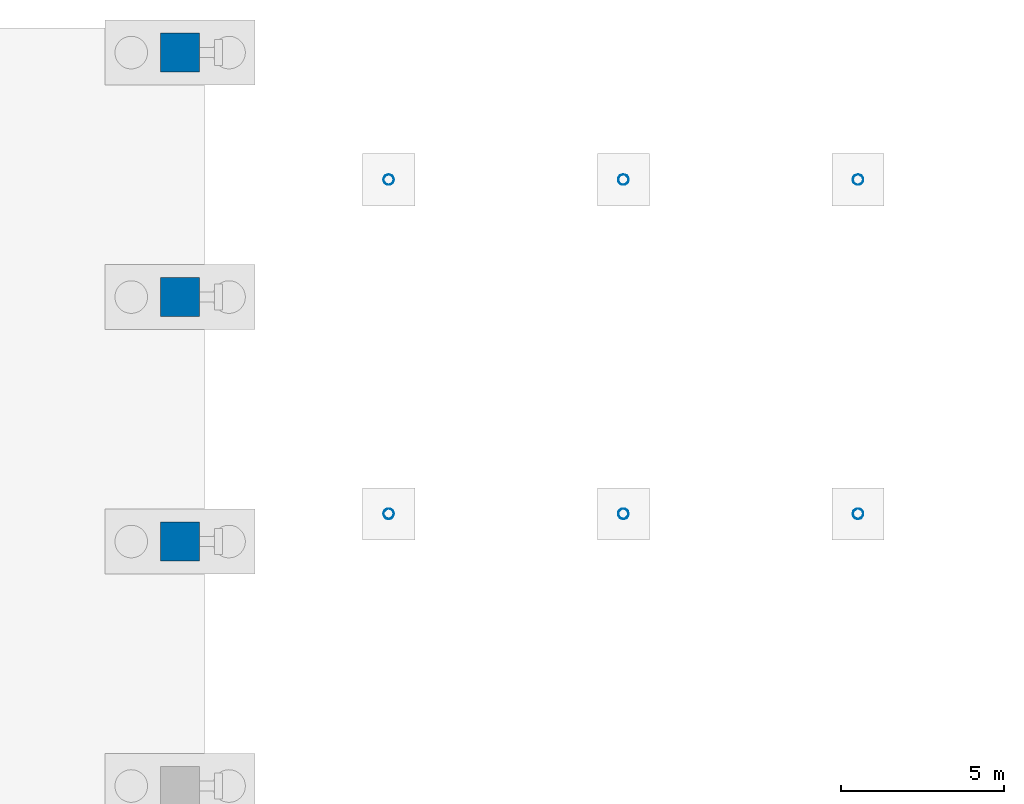
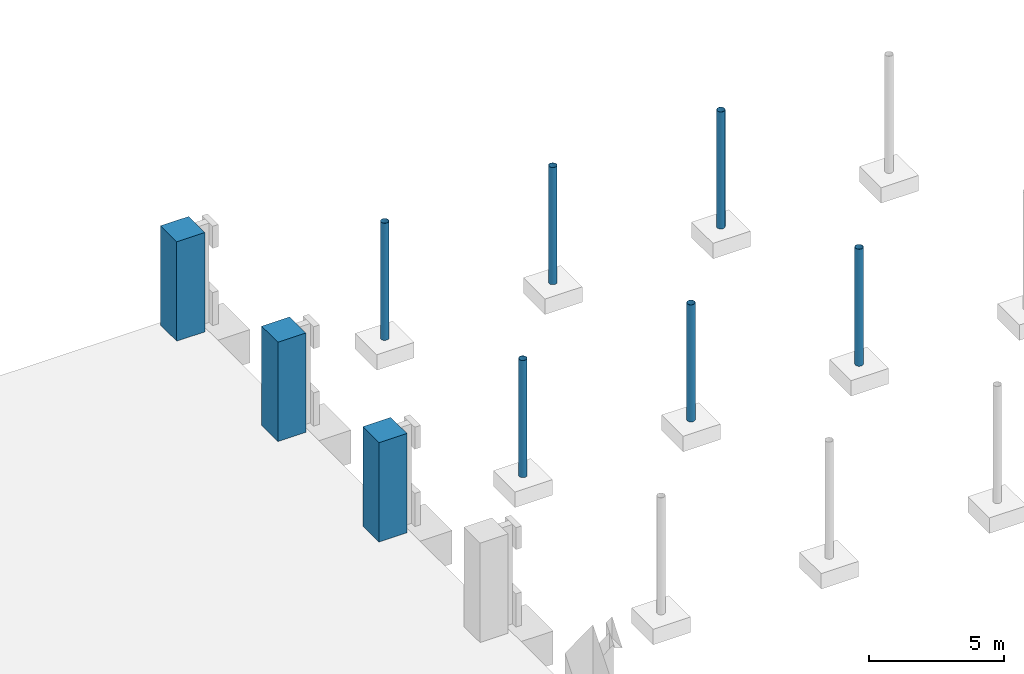
# One storey, part 13 of 99: 9 columns.
"""IFC4 building model written with IfcOpenShell, lengths in metres."""

from ifc_helpers import new_model, si_unit, direction, frame, origin, origin_2d, place, context, subcontext, project, spatial, rectangle, hollow_circle, extrude, material, material_profile, profile_set, type_object, element, save


model = new_model("IFC4")

# Units and contexts
model_context = context("Model", 3, precision=1e-05, world=origin(), true_north=direction((0.0, 1.0)))
body_context = subcontext(model_context, "Body", "Model", "MODEL_VIEW")
ifc_project = project(units=[si_unit("LENGTHUNIT", "METRE"), si_unit("AREAUNIT", "SQUARE_METRE"), si_unit("VOLUMEUNIT", "CUBIC_METRE"), si_unit("PLANEANGLEUNIT", "RADIAN"), si_unit("MASSUNIT", "GRAM", prefix="KILO")], contexts=[model_context])

# Site, building, storey
site_placement = place(None, origin())
site = spatial("IfcSite", under=ifc_project, at=site_placement, CompositionType="ELEMENT")
building_placement = place(site_placement, origin())
building = spatial("IfcBuilding", under=site, at=building_placement, Name="Cour d'Honneur Mobility Palace", CompositionType="ELEMENT")
storey_placement = place(building_placement, origin())
storey = spatial("IfcBuildingStorey", under=building, at=storey_placement, Name="L00", CompositionType="ELEMENT", Elevation=0.0)

# Columns
ifc_material_1 = material(Name="Steel S355", Category="steel")
ifc_material_profile_1 = material_profile(ifc_material_1, hollow_circle(Radius=0.161865234375, WallThickness=0.010009765625, at=origin_2d()), Name="CHS 323.9x10")
ifc_profile_set_1 = profile_set([ifc_material_profile_1], Name="Steel S355")
column_type_1 = type_object("IfcColumnType", Name="Canopy column CHS 323.9x10", PredefinedType="COLUMN", material=ifc_profile_set_1)
for number, where, z_axis, x_axis, name in (
    (1, (106.300048828125, 100.75, -0.300048828125), (0.0, 0.0, 1.0), (1.0, 0.0, 0.0), "Canopy column FCC-E2.1"),
    (2, (113.5, 100.75, -0.300048828125), (0.0, 0.0, 1.0), (1.0, 0.0, 0.0), "Canopy column FCC-E2.2"),
    (3, (120.699951171875, 100.75, -0.300048828125), (0.0, 0.0, 1.0), (1.0, 0.0, 0.0), "Canopy column FCC-E2.3"),
    (4, (106.300048828125, 111.0, -0.300048828125), (0.0, 0.0, 1.0), (1.0, 0.0, 0.0), "Canopy column FCC-E3.1"),
    (5, (113.5, 111.0, -0.300048828125), (0.0, 0.0, 1.0), (1.0, 0.0, 0.0), "Canopy column FCC-E3.2"),
    (6, (120.699951171875, 111.0, -0.300048828125), (0.0, 0.0, 1.0), (1.0, 0.0, 0.0), "Canopy column FCC-E3.3"),
):
    element("IfcColumn", number, at=place(storey_placement, frame(where, z_axis=z_axis, x_axis=x_axis)), inside=storey, type_object=column_type_1, Name=name, PredefinedType="COLUMN", context=body_context, shape_type="SweptSolid", body=[
        extrude(hollow_circle(Radius=0.161865234375, WallThickness=0.010009765625, at=origin_2d()), origin(), (0.0, 0.0, 1.0), 5.300048828125),
    ])
ifc_material_2 = material(Name="Concrete C50", Category="concrete")
ifc_material_profile_2 = material_profile(ifc_material_2, rectangle(XDim=1.199951171875, YDim=1.199951171875, at=origin_2d()), Name="Hall pier 1200x1200")
ifc_profile_set_2 = profile_set([ifc_material_profile_2], Name="Concrete C50")
column_type_2 = type_object("IfcColumnType", Name="Hall pier 1200x1200", PredefinedType="COLUMN", material=ifc_profile_set_2)
for number, where, z_axis, x_axis, name in (
    (7, (99.89990234375, 99.89990234375, 0.0), (0.0, 0.0, 1.0), (1.0, 0.0, 0.0), "Hall pier HP-E6"),
    (8, (99.89990234375, 107.39990234375, 0.0), (0.0, 0.0, 1.0), (1.0, 0.0, 0.0), "Hall pier HP-E7"),
    (9, (99.89990234375, 114.89990234375, 0.0), (0.0, 0.0, 1.0), (1.0, 0.0, 0.0), "Hall pier HP-E8"),
):
    element("IfcColumn", number, at=place(storey_placement, frame(where, z_axis=z_axis, x_axis=x_axis)), inside=storey, type_object=column_type_2, Name=name, PredefinedType="COLUMN", context=body_context, shape_type="SweptSolid", body=[
        extrude(rectangle(XDim=1.199951171875, YDim=1.199951171875, at=origin_2d()), origin(), (0.0, 0.0, 1.0), 4.5),
    ])

save(model, "model.ifc")
